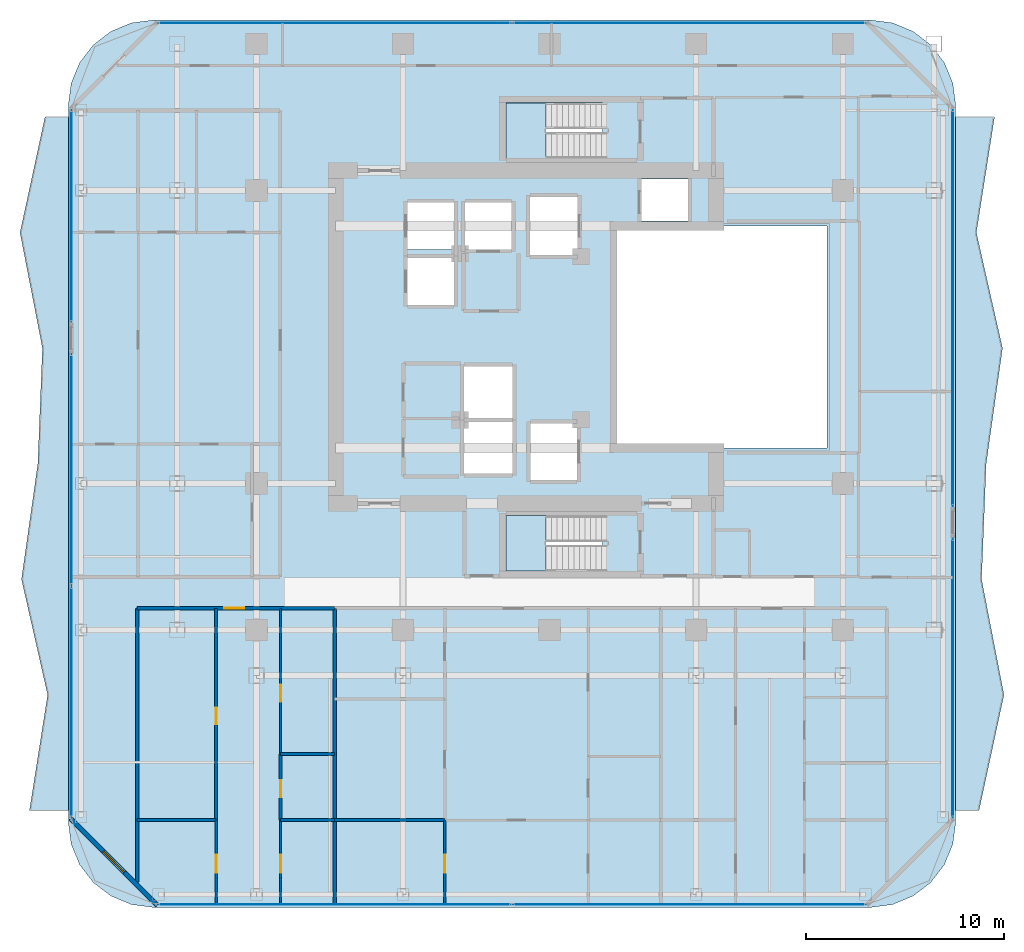
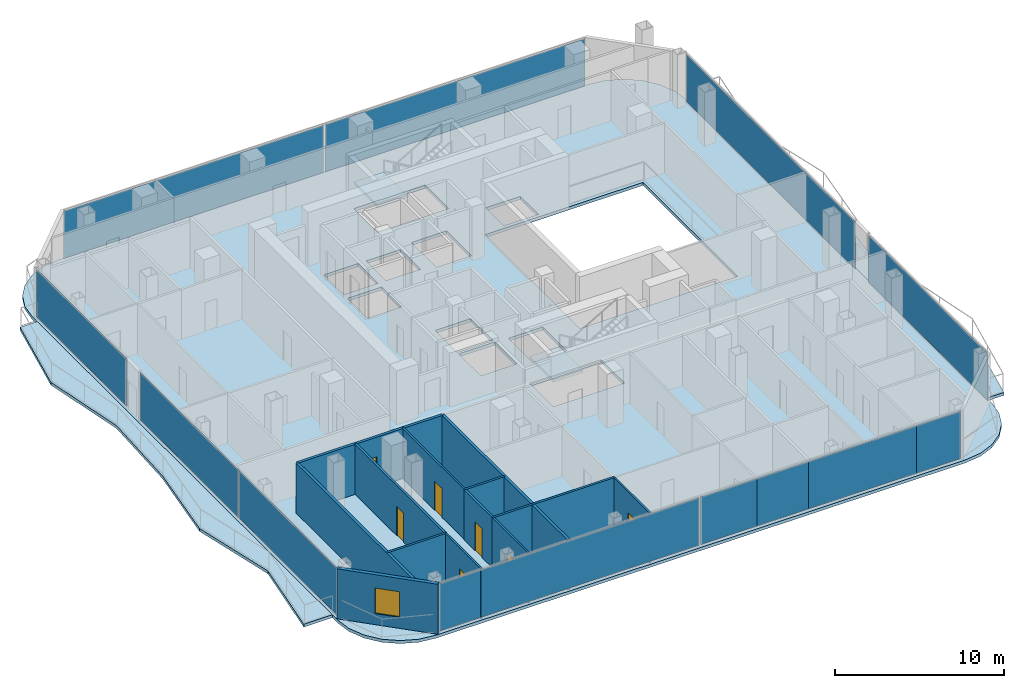
# One storey, part 16 of 23: 14 walls, 13 plates, 7 doors, 5 slabs, 1 window, 8 openings, 8 elements without a shape of their own.
"""IFC4 building model written with IfcOpenShell, lengths in metres."""

from ifc_helpers import new_model, si_unit, direction, frame, frame_2d, origin, origin_2d, place, context, subcontext, project, spatial, polyline, rectangle, outline, extrude, material, layer, layer_set, type_object, element, fill, aggregate, save


model = new_model("IFC4")

# Units and contexts
model_context = context("Model", 3, precision=1e-05, world=origin(), true_north=direction((0.0, 1.0)))
body_context = subcontext(model_context, "Body", "Model", "MODEL_VIEW")
ifc_project = project(units=[si_unit("LENGTHUNIT", "METRE"), si_unit("AREAUNIT", "SQUARE_METRE"), si_unit("VOLUMEUNIT", "CUBIC_METRE"), si_unit("PLANEANGLEUNIT", "RADIAN"), si_unit("MASSUNIT", "GRAM", prefix="KILO")], contexts=[model_context])

# Site, building, storey
site_placement = place(None, origin())
site = spatial("IfcSite", under=ifc_project, at=site_placement, CompositionType="ELEMENT")
building_placement = place(site_placement, origin())
building = spatial("IfcBuilding", under=site, at=building_placement, Name="Khorvyn Point Tower", CompositionType="ELEMENT")
storey_placement = place(building_placement, frame((0.0, 0.0, 207.0)))
storey = spatial("IfcBuildingStorey", under=building, at=storey_placement, Name="L51", CompositionType="ELEMENT", Elevation=207.0)

# Slabs
ifc_material_1 = material(Name="Concrete C35/45", Category="concrete")
ifc_layer_1 = layer(ifc_material_1, 0.219970703125)
ifc_layer_set_1 = layer_set([ifc_layer_1], Name="Concrete C35/45 Structural Floor Slab 220")
slab_type_1 = type_object("IfcSlabType", Name="Concrete C35/45 Structural Floor Slab 220", PredefinedType="FLOOR", material=ifc_layer_set_1)
slab_1_placement = place(storey_placement, frame((0.0, 0.0, -0.219970703125)))
element("IfcSlab", 1, at=slab_1_placement, inside=storey, type_object=slab_type_1, Name="L51 Main Structural Floor Slab", PredefinedType="FLOOR", context=body_context, shape_type="SweptSolid", body=[
    extrude(outline(polyline([(-20.0, -28.800048828125), (-21.11279296875, -28.653564453125), (-22.14990234375, -28.223876953125), (-23.04052734375, -27.54052734375), (-23.723876953125, -26.64990234375), (-24.153564453125, -25.61279296875), (-24.300048828125, -24.5), (-24.300048828125, 11.699951171875), (-24.153564453125, 12.81298828125), (-23.723876953125, 13.85009765625), (-23.04052734375, 14.740478515625), (-22.14990234375, 15.423828125), (-21.11279296875, 15.853515625), (-20.0, 16.0), (16.199951171875, 16.0), (17.31298828125, 15.853515625), (18.35009765625, 15.423828125), (19.240478515625, 14.740478515625), (19.923828125, 13.85009765625), (20.353515625, 12.81298828125), (20.5, 11.699951171875), (20.5, -24.5), (20.353515625, -25.61279296875), (19.923828125, -26.64990234375), (19.240478515625, -27.54052734375), (18.35009765625, -28.223876953125), (17.31298828125, -28.653564453125), (16.199951171875, -28.800048828125), (-20.0, -28.800048828125)]), holes=[polyline([(-1.875, -6.89990234375), (-1.875, -4.300048828125), (-4.324951171875, -4.300048828125), (-4.324951171875, -6.89990234375), (-1.875, -6.89990234375)]), polyline([(-1.875, -4.10009765625), (-1.875, -1.5), (-4.324951171875, -1.5), (-4.324951171875, -4.10009765625), (-1.875, -4.10009765625)]), polyline([(-4.824951171875, 1.625), (-4.824951171875, 3.97509765625), (-7.175048828125, 3.97509765625), (-7.175048828125, 1.625), (-4.824951171875, 1.625)]), polyline([(-7.175048828125, 4.425048828125), (-4.824951171875, 4.425048828125), (-4.824951171875, 6.77490234375), (-7.175048828125, 6.77490234375), (-7.175048828125, 4.425048828125)]), polyline([(-4.27490234375, 4.425048828125), (-1.925048828125, 4.425048828125), (-1.925048828125, 6.77490234375), (-4.27490234375, 6.77490234375), (-4.27490234375, 4.425048828125)]), polyline([(1.39990234375, 4.125), (1.39990234375, 7.074951171875), (-1.0, 7.074951171875), (-1.0, 4.125), (1.39990234375, 4.125)]), polyline([(-2.199951171875, -11.820068359375), (2.679931640625, -11.820068359375), (2.679931640625, -9.02001953125), (-2.199951171875, -9.02001953125), (-2.199951171875, -11.820068359375)]), polyline([(-0.97509765625, -7.22509765625), (1.375, -7.22509765625), (1.375, -4.375), (-0.97509765625, -4.375), (-0.97509765625, -7.22509765625)]), polyline([(14.0, -5.60009765625), (14.0, 5.60009765625), (3.199951171875, 5.60009765625), (3.199951171875, -5.60009765625), (14.0, -5.60009765625)]), polyline([(4.625, 5.85009765625), (6.97509765625, 5.85009765625), (6.97509765625, 7.97998046875), (4.625, 7.97998046875), (4.625, 5.85009765625)]), polyline([(-2.199951171875, 9.02001953125), (2.679931640625, 9.02001953125), (2.679931640625, 11.820068359375), (-2.199951171875, 11.820068359375), (-2.199951171875, 9.02001953125)])]), origin(), (0.0, 0.0, 1.0), 0.219970703125),
])
ifc_material_2 = material(Name="Concrete C40/50", Category="concrete")
ifc_layer_2 = layer(ifc_material_2, 0.2099609375)
ifc_layer_set_2 = layer_set([ifc_layer_2], Name="Concrete C40/50 Rippling Balcony Slab 210")
slab_type_2 = type_object("IfcSlabType", Name="Concrete C40/50 Rippling Balcony Slab 210", PredefinedType="USERDEFINED", material=ifc_layer_set_2)
slab_2_placement = place(storey_placement, frame((0.0, 0.0, -0.2099609375)))
element("IfcSlab", 2, at=slab_2_placement, inside=storey, type_object=slab_type_2, Name="L51 East Sinusoidal Rippling Balcony", ObjectType="BALCONY", PredefinedType="USERDEFINED", context=body_context, shape_type="SweptSolid", body=[
    extrude(outline(polyline([(20.5, -23.89990234375), (21.6787109375, -23.89990234375), (22.9375, -18.066650390625), (21.806884765625, -12.2333984375), (22.0390625, -6.39990234375), (22.863525390625, -0.566650390625), (21.544189453125, 5.2666015625), (22.45947265625, 11.10009765625), (20.5, 11.10009765625), (20.5, -23.89990234375)])), origin(), (0.0, 0.0, 1.0), 0.2099609375),
])
slab_3_placement = place(storey_placement, frame((0.0, 0.0, -0.2099609375)))
element("IfcSlab", 3, at=slab_3_placement, inside=storey, type_object=slab_type_2, Name="L51 West Sinusoidal Rippling Balcony", ObjectType="BALCONY", PredefinedType="USERDEFINED", context=body_context, shape_type="SweptSolid", body=[
    extrude(outline(polyline([(-24.300048828125, 11.10009765625), (-25.478759765625, 11.10009765625), (-26.737548828125, 5.2666015625), (-25.60693359375, -0.566650390625), (-25.839111328125, -6.39990234375), (-26.66357421875, -12.2333984375), (-25.343994140625, -18.066650390625), (-26.259521484375, -23.89990234375), (-24.300048828125, -23.89990234375), (-24.300048828125, 11.10009765625)])), origin(), (0.0, 0.0, 1.0), 0.2099609375),
])

# Stair, slab
stair_type = type_object("IfcStairType", Name="Tower Concrete C40/50 Dogleg Exit Stair", PredefinedType="HALF_TURN_STAIR", material=ifc_material_2)
stair_1_placement = place(storey_placement, origin())
stair_1 = element("IfcStair", 4, at=stair_1_placement, inside=storey, type_object=stair_type, Name="L51 Tower Smokeproof Exit Stair South", PredefinedType="HALF_TURN_STAIR")
ifc_layer_3 = layer(ifc_material_2, 0.199951171875)
ifc_layer_set_3 = layer_set([ifc_layer_3], Name="Concrete C40/50 Stair Landing Slab 200")
slab_type_3 = type_object("IfcSlabType", Name="Concrete C40/50 Stair Landing Slab 200", PredefinedType="LANDING", material=ifc_layer_set_3)
slab_4_placement = place(storey_placement, frame((0.0, 0.0, 1.75)))
slab_4 = element("IfcSlab", 5, at=slab_4_placement, type_object=slab_type_3, Name="ST-01 landing 1", PredefinedType="LANDING", context=body_context, shape_type="SweptSolid", body=[
    extrude(outline(polyline([(-0.179931640625, -9.02001953125), (-2.199951171875, -9.02001953125), (-2.199951171875, -11.820068359375), (-0.179931640625, -11.820068359375), (-0.179931640625, -9.02001953125)])), origin(), (0.0, 0.0, 1.0), 0.199951171875),
])
aggregate(stair_1, [slab_4])

stair_2_placement = place(storey_placement, origin())
stair_2 = element("IfcStair", 6, at=stair_2_placement, inside=storey, type_object=stair_type, Name="L51 Tower Smokeproof Exit Stair North", PredefinedType="HALF_TURN_STAIR")
slab_5_placement = place(storey_placement, frame((0.0, 0.0, 1.75)))
slab_5 = element("IfcSlab", 7, at=slab_5_placement, type_object=slab_type_3, Name="ST-02 landing 1", PredefinedType="LANDING", context=body_context, shape_type="SweptSolid", body=[
    extrude(outline(polyline([(-0.179931640625, 11.820068359375), (-2.199951171875, 11.820068359375), (-2.199951171875, 9.02001953125), (-0.179931640625, 9.02001953125), (-0.179931640625, 11.820068359375)])), origin(), (0.0, 0.0, 1.0), 0.199951171875),
])
aggregate(stair_2, [slab_5])

# Curtain wall, plates
ifc_material_3 = material(Name="Anodised aluminium 6063-T6 and laminated Low-E glass", Category="aluminium")
ifc_layer_4 = layer(ifc_material_3, 0.18994140625)
ifc_layer_set_4 = layer_set([ifc_layer_4], Name="Stick-Built Acoustic Curtain Wall CW-SYS-03")
curtain_wall_type = type_object("IfcCurtainWallType", Name="Stick-Built Acoustic Curtain Wall CW-SYS-03", PredefinedType="NOTDEFINED", material=ifc_layer_set_4)
curtain_wall_1_placement = place(storey_placement, origin())
curtain_wall_1 = element("IfcCurtainWall", 8, at=curtain_wall_1_placement, inside=storey, type_object=curtain_wall_type, Name="Curtain Wall", PredefinedType="NOTDEFINED")
ifc_material_4 = material(Name="Laminated Low-E insulated glass", Category="glass")
ifc_layer_5 = layer(ifc_material_4, 0.028076171875)
ifc_layer_set_5 = layer_set([ifc_layer_5], Name="Tempered Low-E Vision Glazing Panel CW-GL28")
plate_type = type_object("IfcPlateType", Name="Tempered Low-E Vision Glazing Panel CW-GL28", PredefinedType="CURTAIN_PANEL", material=ifc_layer_set_5)
plate_1_placement = place(storey_placement, frame((0.08251953125, -28.64990234375, 0.10009765625), z_axis=(0.0, 0.0, 1.0), x_axis=(-1.0, 0.0, 0.0)))
plate_1 = element("IfcPlate", 9, at=plate_1_placement, type_object=plate_type, Name="Panel", PredefinedType="CURTAIN_PANEL", context=body_context, shape_type="SweptSolid", body=[
    extrude(rectangle(XDim=3.85693359375, YDim=0.028076171875, at=origin_2d()), origin(), (0.0, 0.0, 1.0), 3.419921875),
])
plate_2_placement = place(storey_placement, frame((3.777099609375, -28.64990234375, 0.10009765625), z_axis=(0.0, 0.0, 1.0), x_axis=(-1.0, 0.0, 0.0)))
plate_2 = element("IfcPlate", 10, at=plate_2_placement, type_object=plate_type, Name="Panel", PredefinedType="CURTAIN_PANEL", context=body_context, shape_type="SweptSolid", body=[
    extrude(rectangle(XDim=3.51611328125, YDim=0.028076171875, at=origin_2d()), origin(), (0.0, 0.0, 1.0), 3.419921875),
])
plate_3_placement = place(storey_placement, frame((9.232421875, -28.64990234375, 0.10009765625), z_axis=(0.0, 0.0, 1.0), x_axis=(-1.0, 0.0, 0.0)))
plate_3 = element("IfcPlate", 11, at=plate_3_placement, type_object=plate_type, Name="Panel", PredefinedType="CURTAIN_PANEL", context=body_context, shape_type="SweptSolid", body=[
    extrude(rectangle(XDim=7.37890625, YDim=0.028076171875, at=origin_2d()), origin(), (0.0, 0.0, 1.0), 3.419921875),
])
plate_4_placement = place(storey_placement, frame((14.43798828125, -28.64990234375, 0.10009765625), z_axis=(0.0, 0.0, 1.0), x_axis=(-1.0, 0.0, 0.0)))
plate_4 = element("IfcPlate", 12, at=plate_4_placement, type_object=plate_type, Name="Panel", PredefinedType="CURTAIN_PANEL", context=body_context, shape_type="SweptSolid", body=[
    extrude(rectangle(XDim=3.01611328125, YDim=0.028076171875, at=origin_2d()), origin(), (0.0, 0.0, 1.0), 3.419921875),
])
plate_5_placement = place(storey_placement, frame((-18.322021484375, -28.64990234375, 0.10009765625), z_axis=(0.0, 0.0, 1.0), x_axis=(-1.0, 0.0, 0.0)))
plate_5 = element("IfcPlate", 13, at=plate_5_placement, type_object=plate_type, Name="Panel", PredefinedType="CURTAIN_PANEL", context=body_context, shape_type="SweptSolid", body=[
    extrude(rectangle(XDim=2.847900390625, YDim=0.028076171875, at=origin_2d()), origin(), (0.0, 0.0, 1.0), 3.419921875),
])
plate_6_placement = place(storey_placement, frame((-9.422119140625, -28.64990234375, 0.10009765625), z_axis=(0.0, 0.0, 1.0), x_axis=(-1.0, 0.0, 0.0)))
plate_6 = element("IfcPlate", 14, at=plate_6_placement, type_object=plate_type, Name="Panel", PredefinedType="CURTAIN_PANEL", context=body_context, shape_type="SweptSolid", body=[
    extrude(rectangle(XDim=14.93603515625, YDim=0.028076171875, at=origin_2d()), origin(), (0.0, 0.0, 1.0), 3.419921875),
])
aggregate(curtain_wall_1, [plate_1, plate_2, plate_3, plate_4, plate_5, plate_6])

curtain_wall_2_placement = place(storey_placement, origin())
curtain_wall_2 = element("IfcCurtainWall", 15, at=curtain_wall_2_placement, inside=storey, type_object=curtain_wall_type, Name="Curtain Wall", PredefinedType="NOTDEFINED")
plate_7_placement = place(storey_placement, frame((-10.85009765625, 15.85009765625, 0.10009765625), z_axis=(0.0, 0.0, 1.0), x_axis=(1.0, 0.0, 0.0)))
plate_7 = element("IfcPlate", 16, at=plate_7_placement, type_object=plate_type, Name="Panel", PredefinedType="CURTAIN_PANEL", context=body_context, shape_type="SweptSolid", body=[
    extrude(rectangle(XDim=17.800048828125, YDim=0.028076171875, at=origin_2d()), origin(), (0.0, 0.0, 1.0), 3.419921875),
])
plate_8_placement = place(storey_placement, frame((7.050048828125, 15.85009765625, 0.10009765625), z_axis=(0.0, 0.0, 1.0), x_axis=(1.0, 0.0, 0.0)))
plate_8 = element("IfcPlate", 17, at=plate_8_placement, type_object=plate_type, Name="Panel", PredefinedType="CURTAIN_PANEL", context=body_context, shape_type="SweptSolid", body=[
    extrude(rectangle(XDim=17.800048828125, YDim=0.028076171875, at=origin_2d()), origin(), (0.0, 0.0, 1.0), 3.419921875),
])
aggregate(curtain_wall_2, [plate_7, plate_8])

curtain_wall_3_placement = place(storey_placement, origin())
curtain_wall_3 = element("IfcCurtainWall", 18, at=curtain_wall_3_placement, inside=storey, type_object=curtain_wall_type, Name="Curtain Wall", PredefinedType="NOTDEFINED")
plate_9_placement = place(storey_placement, frame((-24.14990234375, -18.433349609375, 0.10009765625), z_axis=(0.0, 0.0, 1.0), x_axis=(0.0, 1.0, 0.0)))
plate_9 = element("IfcPlate", 19, at=plate_9_placement, type_object=plate_type, Name="Panel", PredefinedType="CURTAIN_PANEL", context=body_context, shape_type="SweptSolid", body=[
    extrude(rectangle(XDim=11.633544921875, YDim=0.028076171875, at=origin_2d()), origin(), (0.0, 0.0, 1.0), 3.419921875),
])
plate_10_placement = place(storey_placement, frame((-24.14990234375, -6.69970703125, 0.10009765625), z_axis=(0.0, 0.0, 1.0), x_axis=(0.0, 1.0, 0.0)))
plate_10 = element("IfcPlate", 20, at=plate_10_placement, type_object=plate_type, Name="Panel", PredefinedType="CURTAIN_PANEL", context=body_context, shape_type="SweptSolid", body=[
    extrude(rectangle(XDim=11.633544921875, YDim=0.028076171875, at=origin_2d()), origin(), (0.0, 0.0, 1.0), 3.419921875),
])
aggregate(curtain_wall_3, [plate_9, plate_10])

# Curtain wall, plate
curtain_wall_4_placement = place(storey_placement, origin())
curtain_wall_4 = element("IfcCurtainWall", 21, at=curtain_wall_4_placement, inside=storey, type_object=curtain_wall_type, Name="Curtain Wall", PredefinedType="NOTDEFINED")
plate_11_placement = place(storey_placement, frame((-24.14990234375, 6.103515625, 0.10009765625), z_axis=(0.0, 0.0, 1.0), x_axis=(0.0, 1.0, 0.0)))
plate_11 = element("IfcPlate", 22, at=plate_11_placement, type_object=plate_type, Name="Panel", PredefinedType="CURTAIN_PANEL", context=body_context, shape_type="SweptSolid", body=[
    extrude(rectangle(XDim=10.693115234375, YDim=0.028076171875, at=origin_2d()), origin(), (0.0, 0.0, 1.0), 3.419921875),
])
aggregate(curtain_wall_4, [plate_11])

curtain_wall_5_placement = place(storey_placement, origin())
curtain_wall_5 = element("IfcCurtainWall", 23, at=curtain_wall_5_placement, inside=storey, type_object=curtain_wall_type, Name="Curtain Wall", PredefinedType="NOTDEFINED")
plate_12_placement = place(storey_placement, frame((20.35009765625, 1.451416015625, 0.10009765625), z_axis=(0.0, 0.0, 1.0), x_axis=(0.0, -1.0, 0.0)))
plate_12 = element("IfcPlate", 24, at=plate_12_placement, type_object=plate_type, Name="Panel", PredefinedType="CURTAIN_PANEL", context=body_context, shape_type="SweptSolid", body=[
    extrude(rectangle(XDim=19.9970703125, YDim=0.028076171875, at=origin_2d()), origin(), (0.0, 0.0, 1.0), 3.419921875),
])
aggregate(curtain_wall_5, [plate_12])

curtain_wall_6_placement = place(storey_placement, origin())
curtain_wall_6 = element("IfcCurtainWall", 25, at=curtain_wall_6_placement, inside=storey, type_object=curtain_wall_type, Name="Curtain Wall", PredefinedType="NOTDEFINED")
plate_13_placement = place(storey_placement, frame((20.35009765625, -17.218505859375, 0.10009765625), z_axis=(0.0, 0.0, 1.0), x_axis=(0.0, -1.0, 0.0)))
plate_13 = element("IfcPlate", 26, at=plate_13_placement, type_object=plate_type, Name="Panel", PredefinedType="CURTAIN_PANEL", context=body_context, shape_type="SweptSolid", body=[
    extrude(rectangle(XDim=14.06298828125, YDim=0.028076171875, at=origin_2d()), origin(), (0.0, 0.0, 1.0), 3.419921875),
])
aggregate(curtain_wall_6, [plate_13])

# Wall, opening, door
ifc_material_5 = material(Name="Double acoustic gypsum on twin steel stud", Category="steel")
ifc_layer_6 = layer(ifc_material_5, 0.179931640625)
ifc_layer_set_6 = layer_set([ifc_layer_6], Name="Acoustic Double-Stud Apartment Demising Wall 180")
wall_type_1 = type_object("IfcWallType", Name="Acoustic Double-Stud Apartment Demising Wall 180", PredefinedType="PARTITIONING", material=ifc_layer_set_6)
wall_1_placement = place(storey_placement, frame((-20.820068359375, -13.699951171875, 0.0), z_axis=(0.0, 0.0, 1.0), x_axis=(1.0, 0.0, 0.0)))
wall_1 = element("IfcWall", 27, at=wall_1_placement, inside=storey, type_object=wall_type_1, Name="Wall", PredefinedType="PARTITIONING", context=body_context, shape_type="SweptSolid", body=[
    extrude(rectangle(XDim=9.965087890625, YDim=0.179931640625, at=frame_2d((4.982421875, 0.0))), origin(), (0.0, 0.0, 1.0), 3.6201171875),
])
opening_1_placement = place(wall_1_placement, frame((4.394287109375, 0.0, 0.0)))
opening_1 = element("IfcOpeningElement", 28, at=opening_1_placement, cuts=wall_1, Name="Opening ID-AP60", PredefinedType="OPENING", context=body_context, shape_type="SweptSolid", body=[
    extrude(rectangle(XDim=1.0, YDim=2.199951171875, at=frame_2d((0.5, 1.10009765625))), frame((0.0, 0.099853515625, 0.0), z_axis=(0.0, -1.0, 0.0), x_axis=(1.0, 0.0, 0.0)), (0.0, 0.0, 1.0), 0.199951171875),
])
ifc_material_6 = material(Name="Engineered hardwood fire-rated leaf", Category="wood")
door_type_1 = type_object("IfcDoorType", Name="Acoustic Solid-Core Timber Apartment Entrance Door 1000x2200", OperationType="NOTDEFINED", PredefinedType="DOOR", material=ifc_material_6)
door_1_placement = place(opening_1_placement, origin())
door_1 = element("IfcDoor", 29, at=door_1_placement, inside=storey, type_object=door_type_1, Name="Door", OperationType="SINGLE_SWING_RIGHT", OverallHeight=2.199951171875, OverallWidth=1.0, PredefinedType="DOOR", context=body_context, shape_type="SweptSolid", body=[
    extrude(rectangle(XDim=1.0, YDim=2.199951171875, at=frame_2d((0.5, 1.10009765625))), frame((0.0, 0.02490234375, 0.0), z_axis=(0.0, -1.0, 0.0), x_axis=(1.0, 0.0, 0.0)), (0.0, 0.0, 1.0), 0.050048828125),
])
fill(opening_1, door_1)

# Walls
wall_2_placement = place(storey_placement, frame((-10.85498046875, -28.6298828125, 0.0), z_axis=(0.0, 0.0, 1.0), x_axis=(0.0, 1.0, 0.0)))
element("IfcWall", 30, at=wall_2_placement, inside=storey, type_object=wall_type_1, Name="Wall", PredefinedType="PARTITIONING", context=body_context, shape_type="SweptSolid", body=[
    extrude(rectangle(XDim=14.929931640625, YDim=0.179931640625, at=frame_2d((7.46484375, 0.0))), origin(), (0.0, 0.0, 1.0), 3.6201171875),
])
wall_3_placement = place(storey_placement, frame((-20.820068359375, -27.510009765625, 0.0), z_axis=(0.0, 0.0, 1.0), x_axis=(0.0, 1.0, 0.0)))
element("IfcWall", 31, at=wall_3_placement, inside=storey, type_object=wall_type_1, Name="Wall", PredefinedType="PARTITIONING", context=body_context, shape_type="SweptSolid", body=[
    extrude(rectangle(XDim=13.81005859375, YDim=0.179931640625, at=frame_2d((6.905029296875, 0.0))), origin(), (0.0, 0.0, 1.0), 3.6201171875),
])

# Wall, opening, window
ifc_material_7 = material(Name="Pale anodised aluminium rainscreen on steel stud", Category="steel")
ifc_layer_7 = layer(ifc_material_7, 0.239990234375)
ifc_layer_set_7 = layer_set([ifc_layer_7], Name="Anodised Aluminium Insulated Corner Spandrel Wall 240")
wall_type_2 = type_object("IfcWallType", Name="Anodised Aluminium Insulated Corner Spandrel Wall 240", PredefinedType="SOLIDWALL", material=ifc_layer_set_7)
wall_4_placement = place(storey_placement, frame((-19.8076171875, -28.6923828125, 0.0), z_axis=(0.0, 0.0, 1.0), x_axis=(-0.707106781187, 0.707106781187, 0.0)))
wall_4 = element("IfcWall", 32, at=wall_4_placement, inside=storey, type_object=wall_type_2, Name="L51 Rounded Corner Wall SW", PredefinedType="SOLIDWALL", context=body_context, shape_type="SweptSolid", body=[
    extrude(rectangle(XDim=6.200927734375, YDim=0.239990234375, at=frame_2d((3.1005859375, 0.0))), origin(), (0.0, 0.0, 1.0), 3.6201171875),
])
opening_2_placement = place(wall_4_placement, frame((2.3505859375, 0.0, 0.800048828125)))
opening_2 = element("IfcOpeningElement", 33, at=opening_2_placement, cuts=wall_4, Name="Opening WN-1518", PredefinedType="OPENING", context=body_context, shape_type="SweptSolid", body=[
    extrude(rectangle(XDim=1.5, YDim=1.85009765625, at=frame_2d((0.75, 0.925048828125))), frame((0.0, 0.1298828125, 0.0), z_axis=(0.0, -1.0, 0.0), x_axis=(1.0, 0.0, 0.0)), (0.0, 0.0, 1.0), 0.260009765625),
])
window_type = type_object("IfcWindowType", Name="Anodised Aluminium Rounded-Corner Panoramic Window 1500x1850", PartitioningType="SINGLE_PANEL", PredefinedType="WINDOW", material=ifc_material_3)
window_placement = place(opening_2_placement, origin())
window = element("IfcWindow", 34, at=window_placement, inside=storey, type_object=window_type, Name="L51 Corner Panoramic Window SW", OverallHeight=1.85009765625, OverallWidth=1.5, PartitioningType="SINGLE_PANEL", PredefinedType="WINDOW", context=body_context, shape_type="SweptSolid", body=[
    extrude(rectangle(XDim=1.5, YDim=1.85009765625, at=frame_2d((0.75, 0.925048828125))), frame((0.0, 0.030029296875, 0.0), z_axis=(0.0, -1.0, 0.0), x_axis=(1.0, 0.0, 0.0)), (0.0, 0.0, 1.0), 0.06005859375),
])
fill(opening_2, window)

# Wall, opening, door
ifc_material_8 = material(Name="Gypsum plasterboard on steel stud", Category="steel")
ifc_layer_8 = layer(ifc_material_8, 0.1201171875)
ifc_layer_set_8 = layer_set([ifc_layer_8], Name="Gypsum Acoustic Stud Room Partition Wall 120")
wall_type_3 = type_object("IfcWallType", Name="Gypsum Acoustic Stud Room Partition Wall 120", PredefinedType="PARTITIONING", material=ifc_layer_set_8)
wall_5_placement = place(storey_placement, frame((-16.833984375, -28.6298828125, 0.0), z_axis=(0.0, 0.0, 1.0), x_axis=(0.0, 1.0, 0.0)))
wall_5 = element("IfcWall", 35, at=wall_5_placement, inside=storey, type_object=wall_type_3, Name="Wall", PredefinedType="PARTITIONING", context=body_context, shape_type="SweptSolid", body=[
    extrude(rectangle(XDim=4.239990234375, YDim=0.1201171875, at=frame_2d((2.1201171875, 0.0))), origin(), (0.0, 0.0, 1.0), 3.6201171875),
])
opening_3_placement = place(wall_5_placement, frame((1.581298828125, 0.0, 0.0)))
opening_3 = element("IfcOpeningElement", 36, at=opening_3_placement, cuts=wall_5, Name="Opening ID-RM90", PredefinedType="OPENING", context=body_context, shape_type="SweptSolid", body=[
    extrude(rectangle(XDim=0.89990234375, YDim=2.10009765625, at=frame_2d((0.449951171875, 1.050048828125))), frame((0.0, 0.070068359375, 0.0), z_axis=(0.0, -1.0, 0.0), x_axis=(1.0, 0.0, 0.0)), (0.0, 0.0, 1.0), 0.14013671875),
])
ifc_material_9 = material(Name="Engineered oak veneer timber", Category="wood")
door_type_2 = type_object("IfcDoorType", Name="Flush Engineered Timber Room Door 900x2100", OperationType="NOTDEFINED", PredefinedType="DOOR", material=ifc_material_9)
door_2_placement = place(opening_3_placement, origin())
door_2 = element("IfcDoor", 37, at=door_2_placement, inside=storey, type_object=door_type_2, Name="Door", OperationType="SINGLE_SWING_RIGHT", OverallHeight=2.10009765625, OverallWidth=0.89990234375, PredefinedType="DOOR", context=body_context, shape_type="SweptSolid", body=[
    extrude(rectangle(XDim=0.89990234375, YDim=2.10009765625, at=frame_2d((0.449951171875, 1.050048828125))), frame((0.0, 0.02490234375, 0.0), z_axis=(0.0, -1.0, 0.0), x_axis=(1.0, 0.0, 0.0)), (0.0, 0.0, 1.0), 0.050048828125),
])
fill(opening_3, door_2)

wall_6_placement = place(storey_placement, frame((-13.583984375, -21.054931640625, 0.0), z_axis=(0.0, 0.0, 1.0), x_axis=(0.0, 1.0, 0.0)))
wall_6 = element("IfcWall", 38, at=wall_6_placement, inside=storey, type_object=wall_type_3, Name="Wall", PredefinedType="PARTITIONING", context=body_context, shape_type="SweptSolid", body=[
    extrude(rectangle(XDim=7.35498046875, YDim=0.1201171875, at=frame_2d((3.677490234375, 0.0))), origin(), (0.0, 0.0, 1.0), 3.6201171875),
])
opening_4_placement = place(wall_6_placement, frame((2.634033203125, 0.0, 0.0)))
opening_4 = element("IfcOpeningElement", 39, at=opening_4_placement, cuts=wall_6, Name="Opening ID-WC85", PredefinedType="OPENING", context=body_context, shape_type="SweptSolid", body=[
    extrude(rectangle(XDim=0.85009765625, YDim=2.10009765625, at=frame_2d((0.425048828125, 1.050048828125))), frame((0.0, 0.070068359375, 0.0), z_axis=(0.0, -1.0, 0.0), x_axis=(1.0, 0.0, 0.0)), (0.0, 0.0, 1.0), 0.14013671875),
])
ifc_material_10 = material(Name="High-pressure laminate on moisture-resistant core", Category="wood")
door_type_3 = type_object("IfcDoorType", Name="Moisture-Resistant Accessible Washroom Door 850x2100", OperationType="NOTDEFINED", PredefinedType="DOOR", material=ifc_material_10)
door_3_placement = place(opening_4_placement, origin())
door_3 = element("IfcDoor", 40, at=door_3_placement, inside=storey, type_object=door_type_3, Name="Door", OperationType="SINGLE_SWING_RIGHT", OverallHeight=2.10009765625, OverallWidth=0.85009765625, PredefinedType="DOOR", context=body_context, shape_type="SweptSolid", body=[
    extrude(rectangle(XDim=0.85009765625, YDim=2.10009765625, at=frame_2d((0.425048828125, 1.050048828125))), frame((0.0, 0.02490234375, 0.0), z_axis=(0.0, -1.0, 0.0), x_axis=(1.0, 0.0, 0.0)), (0.0, 0.0, 1.0), 0.050048828125),
])
fill(opening_4, door_3)

wall_7_placement = place(storey_placement, frame((-13.583984375, -28.6298828125, 0.0), z_axis=(0.0, 0.0, 1.0), x_axis=(0.0, 1.0, 0.0)))
wall_7 = element("IfcWall", 41, at=wall_7_placement, inside=storey, type_object=wall_type_3, Name="Wall", PredefinedType="PARTITIONING", context=body_context, shape_type="SweptSolid", body=[
    extrude(rectangle(XDim=4.239990234375, YDim=0.1201171875, at=frame_2d((2.1201171875, 0.0))), origin(), (0.0, 0.0, 1.0), 3.6201171875),
])
opening_5_placement = place(wall_7_placement, frame((1.581298828125, 0.0, 0.0)))
opening_5 = element("IfcOpeningElement", 42, at=opening_5_placement, cuts=wall_7, Name="Opening ID-RM90", PredefinedType="OPENING", context=body_context, shape_type="SweptSolid", body=[
    extrude(rectangle(XDim=0.89990234375, YDim=2.10009765625, at=frame_2d((0.449951171875, 1.050048828125))), frame((0.0, 0.070068359375, 0.0), z_axis=(0.0, -1.0, 0.0), x_axis=(1.0, 0.0, 0.0)), (0.0, 0.0, 1.0), 0.14013671875),
])
door_4_placement = place(opening_5_placement, origin())
door_4 = element("IfcDoor", 43, at=door_4_placement, inside=storey, type_object=door_type_2, Name="Door", OperationType="SINGLE_SWING_LEFT", OverallHeight=2.10009765625, OverallWidth=0.89990234375, PredefinedType="DOOR", context=body_context, shape_type="SweptSolid", body=[
    extrude(rectangle(XDim=0.89990234375, YDim=2.10009765625, at=frame_2d((0.449951171875, 1.050048828125))), frame((0.0, 0.02490234375, 0.0), z_axis=(0.0, -1.0, 0.0), x_axis=(1.0, 0.0, 0.0)), (0.0, 0.0, 1.0), 0.050048828125),
])
fill(opening_5, door_4)

wall_8_placement = place(storey_placement, frame((-5.29296875, -28.6298828125, 0.0), z_axis=(0.0, 0.0, 1.0), x_axis=(0.0, 1.0, 0.0)))
wall_8 = element("IfcWall", 44, at=wall_8_placement, inside=storey, type_object=wall_type_3, Name="Wall", PredefinedType="PARTITIONING", context=body_context, shape_type="SweptSolid", body=[
    extrude(rectangle(XDim=4.239990234375, YDim=0.1201171875, at=frame_2d((2.1201171875, 0.0))), origin(), (0.0, 0.0, 1.0), 3.6201171875),
])
opening_6_placement = place(wall_8_placement, frame((1.581298828125, 0.0, 0.0)))
opening_6 = element("IfcOpeningElement", 45, at=opening_6_placement, cuts=wall_8, Name="Opening ID-RM90", PredefinedType="OPENING", context=body_context, shape_type="SweptSolid", body=[
    extrude(rectangle(XDim=0.89990234375, YDim=2.10009765625, at=frame_2d((0.449951171875, 1.050048828125))), frame((0.0, 0.070068359375, 0.0), z_axis=(0.0, -1.0, 0.0), x_axis=(1.0, 0.0, 0.0)), (0.0, 0.0, 1.0), 0.14013671875),
])
door_5_placement = place(opening_6_placement, origin())
door_5 = element("IfcDoor", 46, at=door_5_placement, inside=storey, type_object=door_type_2, Name="Door", OperationType="SINGLE_SWING_RIGHT", OverallHeight=2.10009765625, OverallWidth=0.89990234375, PredefinedType="DOOR", context=body_context, shape_type="SweptSolid", body=[
    extrude(rectangle(XDim=0.89990234375, YDim=2.10009765625, at=frame_2d((0.449951171875, 1.050048828125))), frame((0.0, 0.02490234375, 0.0), z_axis=(0.0, -1.0, 0.0), x_axis=(1.0, 0.0, 0.0)), (0.0, 0.0, 1.0), 0.050048828125),
])
fill(opening_6, door_5)

ifc_material_11 = material(Name="Moisture-resistant gypsum and cement board", Category="gypsum")
ifc_layer_9 = layer(ifc_material_11, 0.14990234375)
ifc_layer_set_9 = layer_set([ifc_layer_9], Name="Moisture-Resistant Wet-Room Partition Wall 150")
wall_type_4 = type_object("IfcWallType", Name="Moisture-Resistant Wet-Room Partition Wall 150", PredefinedType="PARTITIONING", material=ifc_layer_set_9)
wall_9_placement = place(storey_placement, frame((-16.833984375, -24.389892578125, 0.0), z_axis=(0.0, 0.0, 1.0), x_axis=(0.0, 1.0, 0.0)))
wall_9 = element("IfcWall", 47, at=wall_9_placement, inside=storey, type_object=wall_type_4, Name="Wall", PredefinedType="PARTITIONING", context=body_context, shape_type="SweptSolid", body=[
    extrude(rectangle(XDim=10.68994140625, YDim=0.14990234375, at=frame_2d((5.344970703125, 0.0))), origin(), (0.0, 0.0, 1.0), 3.6201171875),
])
opening_7_placement = place(wall_9_placement, frame((4.830078125, 0.0, 0.0)))
opening_7 = element("IfcOpeningElement", 48, at=opening_7_placement, cuts=wall_9, Name="Opening ID-WC85", PredefinedType="OPENING", context=body_context, shape_type="SweptSolid", body=[
    extrude(rectangle(XDim=0.85009765625, YDim=2.10009765625, at=frame_2d((0.425048828125, 1.050048828125))), frame((0.0, 0.0849609375, 0.0), z_axis=(0.0, -1.0, 0.0), x_axis=(1.0, 0.0, 0.0)), (0.0, 0.0, 1.0), 0.169921875),
])
door_6_placement = place(opening_7_placement, origin())
door_6 = element("IfcDoor", 49, at=door_6_placement, inside=storey, type_object=door_type_3, Name="Door", OperationType="SINGLE_SWING_LEFT", OverallHeight=2.10009765625, OverallWidth=0.85009765625, PredefinedType="DOOR", context=body_context, shape_type="SweptSolid", body=[
    extrude(rectangle(XDim=0.85009765625, YDim=2.10009765625, at=frame_2d((0.425048828125, 1.050048828125))), frame((0.0, 0.02490234375, 0.0), z_axis=(0.0, -1.0, 0.0), x_axis=(1.0, 0.0, 0.0)), (0.0, 0.0, 1.0), 0.050048828125),
])
fill(opening_7, door_6)

wall_10_placement = place(storey_placement, frame((-13.583984375, -24.389892578125, 0.0), z_axis=(0.0, 0.0, 1.0), x_axis=(0.0, 1.0, 0.0)))
wall_10 = element("IfcWall", 50, at=wall_10_placement, inside=storey, type_object=wall_type_4, Name="Wall", PredefinedType="PARTITIONING", context=body_context, shape_type="SweptSolid", body=[
    extrude(rectangle(XDim=3.3349609375, YDim=0.14990234375, at=frame_2d((1.66748046875, 0.0))), origin(), (0.0, 0.0, 1.0), 3.6201171875),
])
opening_8_placement = place(wall_10_placement, frame((1.1591796875, 0.0, 0.0)))
opening_8 = element("IfcOpeningElement", 51, at=opening_8_placement, cuts=wall_10, Name="Opening ID-WC85", PredefinedType="OPENING", context=body_context, shape_type="SweptSolid", body=[
    extrude(rectangle(XDim=0.85009765625, YDim=2.10009765625, at=frame_2d((0.425048828125, 1.050048828125))), frame((0.0, 0.0849609375, 0.0), z_axis=(0.0, -1.0, 0.0), x_axis=(1.0, 0.0, 0.0)), (0.0, 0.0, 1.0), 0.169921875),
])
door_7_placement = place(opening_8_placement, origin())
door_7 = element("IfcDoor", 52, at=door_7_placement, inside=storey, type_object=door_type_3, Name="Door", OperationType="SINGLE_SWING_LEFT", OverallHeight=2.10009765625, OverallWidth=0.85009765625, PredefinedType="DOOR", context=body_context, shape_type="SweptSolid", body=[
    extrude(rectangle(XDim=0.85009765625, YDim=2.10009765625, at=frame_2d((0.425048828125, 1.050048828125))), frame((0.0, 0.02490234375, 0.0), z_axis=(0.0, -1.0, 0.0), x_axis=(1.0, 0.0, 0.0)), (0.0, 0.0, 1.0), 0.050048828125),
])
fill(opening_8, door_7)

# Walls
wall_11_placement = place(storey_placement, frame((-20.820068359375, -24.389892578125, 0.0), z_axis=(0.0, 0.0, 1.0), x_axis=(1.0, 0.0, 0.0)))
element("IfcWall", 53, at=wall_11_placement, inside=storey, type_object=wall_type_4, Name="Wall", PredefinedType="PARTITIONING", context=body_context, shape_type="SweptSolid", body=[
    extrude(rectangle(XDim=3.986083984375, YDim=0.14990234375, at=frame_2d((1.9931640625, 0.0))), origin(), (0.0, 0.0, 1.0), 3.6201171875),
])
for number, where, z_axis, x_axis, name in (
    (54, (-13.583984375, -21.054931640625, 0.0), (0.0, 0.0, 1.0), (1.0, 0.0, 0.0), "Wall"),
    (55, (-13.583984375, -24.389892578125, 0.0), (0.0, 0.0, 1.0), (1.0, 0.0, 0.0), "Wall"),
):
    element("IfcWall", number, at=place(storey_placement, frame(where, z_axis=z_axis, x_axis=x_axis)), inside=storey, type_object=wall_type_4, Name=name, PredefinedType="PARTITIONING", context=body_context, shape_type="SweptSolid", body=[
        extrude(rectangle(XDim=2.72900390625, YDim=0.14990234375, at=frame_2d((1.364501953125, 0.0))), origin(), (0.0, 0.0, 1.0), 3.6201171875),
    ])
wall_12_placement = place(storey_placement, frame((-10.85498046875, -24.389892578125, 0.0), z_axis=(0.0, 0.0, 1.0), x_axis=(1.0, 0.0, 0.0)))
element("IfcWall", 56, at=wall_12_placement, inside=storey, type_object=wall_type_4, Name="Wall", PredefinedType="PARTITIONING", context=body_context, shape_type="SweptSolid", body=[
    extrude(rectangle(XDim=5.56201171875, YDim=0.14990234375, at=frame_2d((2.781005859375, 0.0))), origin(), (0.0, 0.0, 1.0), 3.6201171875),
])

save(model, "model.ifc")
